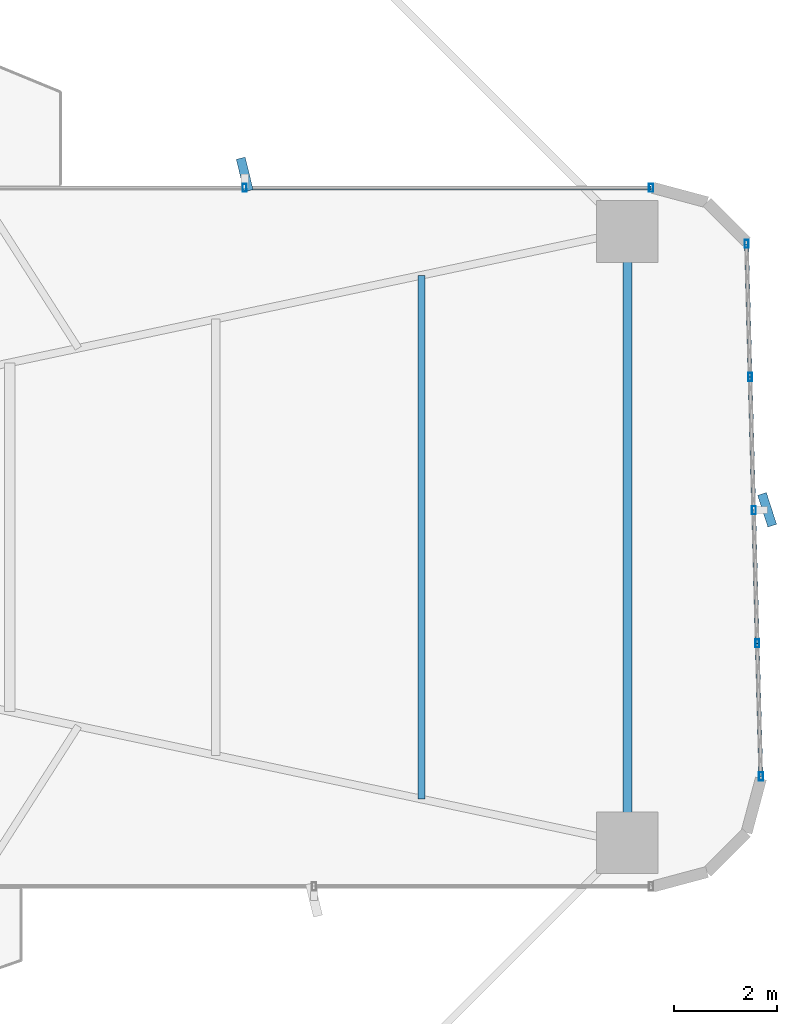
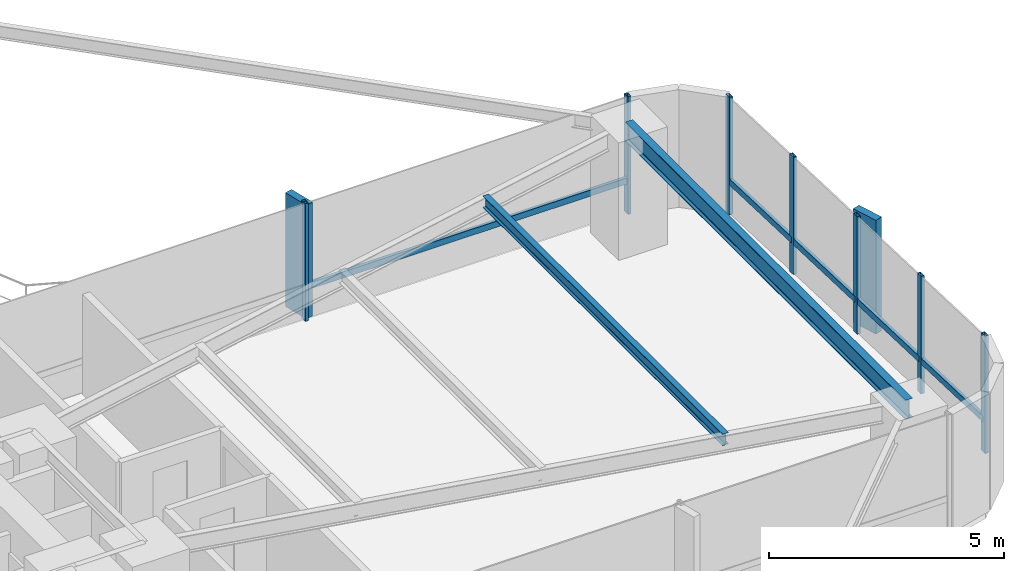
# One storey, part 16 of 26: 14 members, 2 beams, 2 elements without a shape of their own.
"""IFC4 building model written with IfcOpenShell, lengths in metres."""

from ifc_helpers import new_model, si_unit, direction, frame, origin, origin_2d, place, context, subcontext, project, spatial, rectangle, hollow_rectangle, i_section, extrude, source, transform, mapped, material, material_profile, profile_set, type_object, element, aggregate, save


model = new_model("IFC4")

# Units and contexts
model_context = context("Model", 3, precision=1e-05, world=origin(), true_north=direction((0.0, 1.0)))
body_context = subcontext(model_context, "Body", "Model", "MODEL_VIEW")
ifc_project = project(units=[si_unit("LENGTHUNIT", "METRE"), si_unit("AREAUNIT", "SQUARE_METRE"), si_unit("VOLUMEUNIT", "CUBIC_METRE"), si_unit("PLANEANGLEUNIT", "RADIAN"), si_unit("MASSUNIT", "GRAM", prefix="KILO")], contexts=[model_context])

# Site, building, storey
site_placement = place(None, origin())
site = spatial("IfcSite", under=ifc_project, at=site_placement, CompositionType="ELEMENT")
building_placement = place(site_placement, origin())
building = spatial("IfcBuilding", under=site, at=building_placement, Name="Sahyath Konkavel Grand Hotel", CompositionType="ELEMENT")
storey_placement = place(building_placement, frame((0.0, 0.0, 43.199951171875)))
storey = spatial("IfcBuildingStorey", under=building, at=storey_placement, Name="L11", CompositionType="ELEMENT", Elevation=43.199951171875)

# Beams
ifc_material_1 = material(Name="Steel E350", Category="steel")
ifc_material_profile_1 = material_profile(ifc_material_1, i_section(OverallWidth=0.179931640625, OverallDepth=0.5, WebThickness=0.01025390625, FlangeThickness=0.01708984375, FilletRadius=0.01708984375, at=origin_2d()), Name="ISMB 500")
ifc_profile_set_1 = profile_set([ifc_material_profile_1], Name="Steel E350")
beam_type_1 = type_object("IfcBeamType", Name="BM-ISMB500", PredefinedType="BEAM", material=ifc_profile_set_1)
shared_shape_1 = source(origin(), body_context, "Body", "SweptSolid", [
    extrude(i_section(OverallWidth=0.179931640625, OverallDepth=0.5, WebThickness=0.01025390625, FlangeThickness=0.01708984375, FilletRadius=0.01708984375, at=origin_2d()), origin(), (0.0, 0.0, 1.0), 11.89990234375),
])
beam_1_placement = place(storey_placement, frame((22.199951171875, -5.949951171875, 2.800048828125), z_axis=(0.0, 1.0, 0.0), x_axis=(-1.0, 0.0, 0.0)))
element("IfcBeam", 1, at=beam_1_placement, inside=storey, type_object=beam_type_1, Name="L11 Wing Tip Edge Beam E", PredefinedType="BEAM", context=body_context, shape_type="MappedRepresentation", body=[
    mapped(shared_shape_1, transform((0.0, 0.0, 0.0), scale=1.0)),
])
ifc_material_profile_2 = material_profile(ifc_material_1, i_section(OverallWidth=0.139892578125, OverallDepth=0.300048828125, WebThickness=0.0078125, FlangeThickness=0.01318359375, FilletRadius=0.013916015625, at=origin_2d()), Name="ISMB 300")
ifc_profile_set_2 = profile_set([ifc_material_profile_2], Name="Steel E350")
beam_type_2 = type_object("IfcBeamType", Name="BM-ISMB300", PredefinedType="BEAM", material=ifc_profile_set_2)
shared_shape_2 = source(origin(), body_context, "Body", "SweptSolid", [
    extrude(i_section(OverallWidth=0.139892578125, OverallDepth=0.300048828125, WebThickness=0.0078125, FlangeThickness=0.01318359375, FilletRadius=0.013916015625, at=origin_2d()), origin(), (0.0, 0.0, 1.0), 10.19580078125),
])
beam_2_placement = place(storey_placement, frame((18.19189453125, -5.097900390625, 2.900146484375), z_axis=(0.0, 1.0, 0.0), x_axis=(-1.0, 0.0, 0.0)))
element("IfcBeam", 2, at=beam_2_placement, inside=storey, type_object=beam_type_2, Name="L11 Secondary Floor Beam E-3", PredefinedType="BEAM", context=body_context, shape_type="MappedRepresentation", body=[
    mapped(shared_shape_2, transform((0.0, 0.0, 0.0), scale=1.0)),
])

# Curtain wall, member
ifc_material_2 = material(Name="Anodised Bronze Aluminium & Low-E Glazing", Category="aluminium")
curtain_wall_type = type_object("IfcCurtainWallType", Name="CW-ZONE1", PredefinedType="NOTDEFINED", material=ifc_material_2)
curtain_wall_1_placement = place(storey_placement, origin())
curtain_wall_1 = element("IfcCurtainWall", 3, at=curtain_wall_1_placement, inside=storey, type_object=curtain_wall_type, Name="L11 Unitised Curtain Wall F7", PredefinedType="NOTDEFINED")
ifc_material_3 = material(Name="Anodised Bronze Aluminium", Category="aluminium")
ifc_material_profile_3 = material_profile(ifc_material_3, hollow_rectangle(XDim=0.080078125, YDim=0.159912109375, WallThickness=0.006103515625, at=origin_2d()), Name="RHS 160x80x6")
ifc_profile_set_3 = profile_set([ifc_material_profile_3], Name="Anodised Bronze Aluminium")
member_type_1 = type_object("IfcMemberType", Name="CW-TRN-160", PredefinedType="USERDEFINED", material=ifc_profile_set_3)
shared_shape_3 = source(origin(), body_context, "Body", "SweptSolid", [
    extrude(hollow_rectangle(XDim=0.080078125, YDim=0.159912109375, WallThickness=0.006103515625, at=origin_2d()), origin(), (0.0, 0.0, 1.0), 7.909912109375),
])
member_1_placement = place(storey_placement, frame((22.659912109375, 6.800048828125, 0.85009765625), z_axis=(-1.0, 0.0, 0.0), x_axis=(0.0, -1.0, 0.0)))
member_1 = element("IfcMember", 4, at=member_1_placement, type_object=member_type_1, Name="L11 Curtain Wall Transom F7-0-spandrel", ObjectType="TRANSOM", PredefinedType="USERDEFINED", context=body_context, shape_type="MappedRepresentation", body=[
    mapped(shared_shape_3, transform((0.0, 0.0, 0.0), scale=1.0)),
])

# Curtain wall, members
curtain_wall_2_placement = place(storey_placement, origin())
curtain_wall_2 = element("IfcCurtainWall", 5, at=curtain_wall_2_placement, inside=storey, type_object=curtain_wall_type, Name="L11 Unitised Curtain Wall F4", PredefinedType="NOTDEFINED")
shared_shape_4 = source(origin(), body_context, "Body", "SweptSolid", [
    extrude(hollow_rectangle(XDim=0.080078125, YDim=0.159912109375, WallThickness=0.006103515625, at=origin_2d()), origin(), (0.0, 0.0, 1.0), 2.593505859375),
])
member_2_placement = place(storey_placement, frame((24.798828125, -4.659912109375, 0.85009765625), z_axis=(-0.026923093252, 0.999637507825, 0.0), x_axis=(-0.999637507825, -0.026923093252, 0.0)))
member_2 = element("IfcMember", 6, at=member_2_placement, type_object=member_type_1, Name="L11 Curtain Wall Transom F4-0-spandrel", ObjectType="TRANSOM", PredefinedType="USERDEFINED", context=body_context, shape_type="MappedRepresentation", body=[
    mapped(shared_shape_4, transform((0.0, 0.0, 0.0), scale=1.0)),
])
member_3_placement = place(storey_placement, frame((24.6591796875, 0.52490234375, 0.85009765625), z_axis=(-0.02682902444, 0.999640036937, 0.0), x_axis=(-0.999640036937, -0.02682902444, 0.0)))
member_3 = element("IfcMember", 7, at=member_3_placement, type_object=member_type_1, Name="L11 Curtain Wall Transom F4-2-spandrel", ObjectType="TRANSOM", PredefinedType="USERDEFINED", context=body_context, shape_type="MappedRepresentation", body=[
    mapped(shared_shape_4, transform((0.0, 0.0, 0.0), scale=1.0)),
])
member_4_placement = place(storey_placement, frame((24.589599609375, 3.117431640625, 0.85009765625), z_axis=(-0.026923093252, 0.999637507825, 0.0), x_axis=(-0.999637507825, -0.026923093252, 0.0)))
member_4 = element("IfcMember", 8, at=member_4_placement, type_object=member_type_1, Name="L11 Curtain Wall Transom F4-3-spandrel", ObjectType="TRANSOM", PredefinedType="USERDEFINED", context=body_context, shape_type="MappedRepresentation", body=[
    mapped(shared_shape_4, transform((0.0, 0.0, 0.0), scale=1.0)),
])
shared_shape_5 = source(origin(), body_context, "Body", "SweptSolid", [
    extrude(hollow_rectangle(XDim=0.080078125, YDim=0.159912109375, WallThickness=0.006103515625, at=origin_2d()), origin(), (0.0, 0.0, 1.0), 2.59326171875),
])
member_5_placement = place(storey_placement, frame((24.72900390625, -2.0673828125, 0.85009765625), z_axis=(-0.026925627022, 0.99963743958, 0.0), x_axis=(-0.99963743958, -0.026925627022, 0.0)))
member_5 = element("IfcMember", 9, at=member_5_placement, type_object=member_type_1, Name="L11 Curtain Wall Transom F4-1-spandrel", ObjectType="TRANSOM", PredefinedType="USERDEFINED", context=body_context, shape_type="MappedRepresentation", body=[
    mapped(shared_shape_5, transform((0.0, 0.0, 0.0), scale=1.0)),
])
ifc_material_profile_4 = material_profile(ifc_material_3, hollow_rectangle(XDim=0.080078125, YDim=0.159912109375, WallThickness=0.006103515625, at=origin_2d()), Name="RHS 160x80x6")
ifc_profile_set_4 = profile_set([ifc_material_profile_4], Name="Anodised Bronze Aluminium")
member_type_2 = type_object("IfcMemberType", Name="CW-MUL-160", PredefinedType="MULLION", material=ifc_profile_set_4)
shared_shape_6 = source(origin(), body_context, "Body", "SweptSolid", [
    extrude(hollow_rectangle(XDim=0.080078125, YDim=0.159912109375, WallThickness=0.006103515625, at=origin_2d()), origin(), (0.0, 0.0, 1.0), 3.050048828125),
])
member_6_placement = place(storey_placement, frame((24.798828125, -4.659912109375, 0.0), z_axis=(0.0, 0.0, 1.0), x_axis=(1.0, 0.0, 0.0)))
member_6 = element("IfcMember", 10, at=member_6_placement, type_object=member_type_2, Name="L11 Curtain Wall Mullion F4-0", PredefinedType="MULLION", context=body_context, shape_type="MappedRepresentation", body=[
    mapped(shared_shape_6, transform((0.0, 0.0, 0.0), scale=1.0)),
])
member_7_placement = place(storey_placement, frame((24.72900390625, -2.0673828125, 0.0), z_axis=(0.0, 0.0, 1.0), x_axis=(1.0, 0.0, 0.0)))
member_7 = element("IfcMember", 11, at=member_7_placement, type_object=member_type_2, Name="L11 Curtain Wall Mullion F4-1", PredefinedType="MULLION", context=body_context, shape_type="MappedRepresentation", body=[
    mapped(shared_shape_6, transform((0.0, 0.0, 0.0), scale=1.0)),
])
member_8_placement = place(storey_placement, frame((24.6591796875, 0.52490234375, 0.0), z_axis=(0.0, 0.0, 1.0), x_axis=(1.0, 0.0, 0.0)))
member_8 = element("IfcMember", 12, at=member_8_placement, type_object=member_type_2, Name="L11 Curtain Wall Mullion F4-2", PredefinedType="MULLION", context=body_context, shape_type="MappedRepresentation", body=[
    mapped(shared_shape_6, transform((0.0, 0.0, 0.0), scale=1.0)),
])
member_9_placement = place(storey_placement, frame((24.589599609375, 3.117431640625, 0.0), z_axis=(0.0, 0.0, 1.0), x_axis=(1.0, 0.0, 0.0)))
member_9 = element("IfcMember", 13, at=member_9_placement, type_object=member_type_2, Name="L11 Curtain Wall Mullion F4-3", PredefinedType="MULLION", context=body_context, shape_type="MappedRepresentation", body=[
    mapped(shared_shape_6, transform((0.0, 0.0, 0.0), scale=1.0)),
])
member_10_placement = place(storey_placement, frame((24.519775390625, 5.7099609375, 0.0), z_axis=(0.0, 0.0, 1.0), x_axis=(1.0, 0.0, 0.0)))
member_10 = element("IfcMember", 14, at=member_10_placement, type_object=member_type_2, Name="L11 Curtain Wall Mullion F4-4", PredefinedType="MULLION", context=body_context, shape_type="MappedRepresentation", body=[
    mapped(shared_shape_6, transform((0.0, 0.0, 0.0), scale=1.0)),
])

# Member
member_11_placement = place(storey_placement, frame((22.659912109375, 6.800048828125, 0.0), z_axis=(0.0, 0.0, 1.0), x_axis=(1.0, 0.0, 0.0)))
member_11 = element("IfcMember", 15, at=member_11_placement, type_object=member_type_2, Name="L11 Curtain Wall Mullion F7-0", PredefinedType="MULLION", context=body_context, shape_type="MappedRepresentation", body=[
    mapped(shared_shape_6, transform((0.0, 0.0, 0.0), scale=1.0)),
])

member_12_placement = place(storey_placement, frame((14.75, 6.800048828125, 0.0), z_axis=(0.0, 0.0, 1.0), x_axis=(1.0, 0.0, 0.0)))
member_12 = element("IfcMember", 16, at=member_12_placement, type_object=member_type_2, Name="L11 Curtain Wall Mullion F7-1", PredefinedType="MULLION", context=body_context, shape_type="MappedRepresentation", body=[
    mapped(shared_shape_6, transform((0.0, 0.0, 0.0), scale=1.0)),
])

ifc_material_4 = material(Name="Warm Buff Sandstone Cladding on Concrete C50/60", Category="masonry")
ifc_material_profile_5 = material_profile(ifc_material_4, rectangle(XDim=0.179931640625, YDim=0.64990234375, at=origin_2d()), Name="FIN 180x650")
ifc_profile_set_5 = profile_set([ifc_material_profile_5], Name="Warm Buff Sandstone Cladding on Concrete C50/60")
member_type_3 = type_object("IfcMemberType", Name="FIN-SANDSTONE-650", PredefinedType="MULLION", material=ifc_profile_set_5)
shared_shape_7 = source(origin(), body_context, "Body", "SweptSolid", [
    extrude(rectangle(XDim=0.179931640625, YDim=0.64990234375, at=origin_2d()), origin(), (0.0, 0.0, 1.0), 2.949951171875),
])
member_13_placement = place(storey_placement, frame((24.919189453125, 0.531982421875, 0.050048828125), z_axis=(0.0, 0.0, 1.0), x_axis=(0.951487058208, 0.307688768178, 0.0)))
member_13 = element("IfcMember", 17, at=member_13_placement, type_object=member_type_3, Name="L11 Sandstone Vertical Solar Fin FIN F4-2", PredefinedType="MULLION", context=body_context, shape_type="MappedRepresentation", body=[
    mapped(shared_shape_7, transform((0.0, 0.0, 0.0), scale=1.0)),
])

aggregate(curtain_wall_2, [member_6, member_7, member_8, member_13, member_9, member_10, member_2, member_5, member_3, member_4])

member_14_placement = place(storey_placement, frame((14.75, 7.06005859375, 0.050048828125), z_axis=(0.0, 0.0, 1.0), x_axis=(0.970842131618, 0.239719743609, 0.0)))
member_14 = element("IfcMember", 18, at=member_14_placement, type_object=member_type_3, Name="L11 Sandstone Vertical Solar Fin FIN F7-1", PredefinedType="MULLION", context=body_context, shape_type="MappedRepresentation", body=[
    mapped(shared_shape_7, transform((0.0, 0.0, 0.0), scale=1.0)),
])

aggregate(curtain_wall_1, [member_11, member_12, member_14, member_1])

save(model, "model.ifc")
